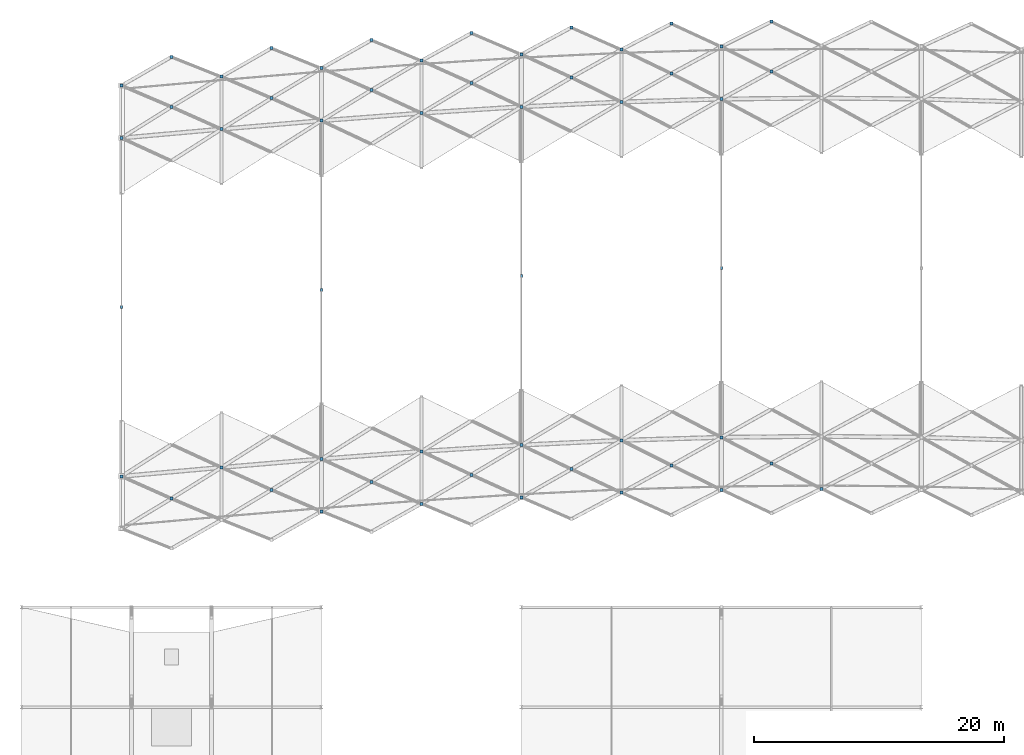
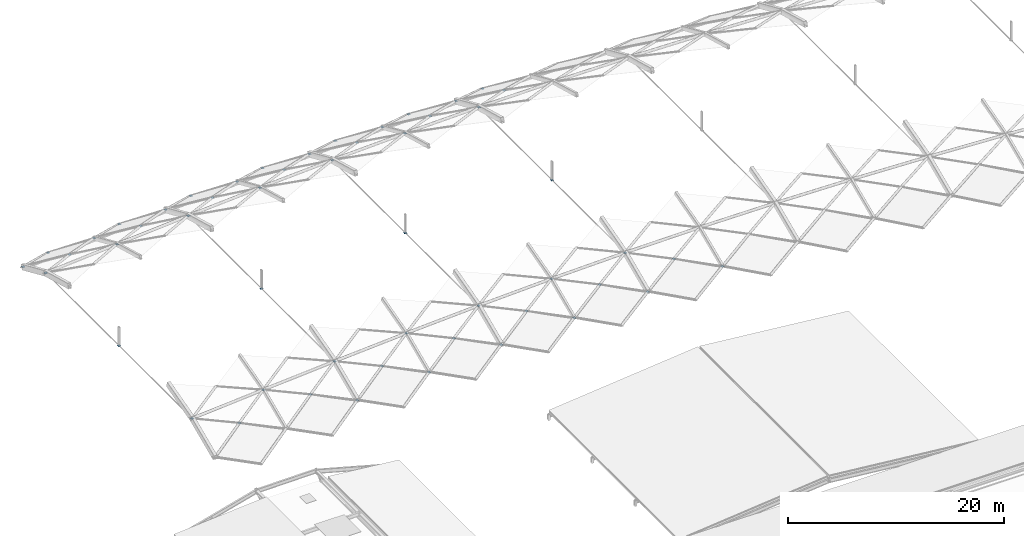
# One storey, part 46 of 54: 52 discrete accessories.
"""IFC4 building model written with IfcOpenShell, lengths in metres."""

from ifc_helpers import new_model, si_unit, direction, frame, origin, origin_2d, place, context, subcontext, project, spatial, rectangle, extrude, material, type_object, element, save


model = new_model("IFC4")

# Units and contexts
model_context = context("Model", 3, precision=1e-05, world=origin(), true_north=direction((0.0, 1.0)))
body_context = subcontext(model_context, "Body", "Model", "MODEL_VIEW")
ifc_project = project(units=[si_unit("LENGTHUNIT", "METRE"), si_unit("AREAUNIT", "SQUARE_METRE"), si_unit("VOLUMEUNIT", "CUBIC_METRE"), si_unit("PLANEANGLEUNIT", "RADIAN"), si_unit("MASSUNIT", "GRAM", prefix="KILO")], contexts=[model_context])

# Site, building, storey
site_placement = place(None, origin())
site = spatial("IfcSite", under=ifc_project, at=site_placement, CompositionType="ELEMENT")
building_placement = place(site_placement, origin())
building = spatial("IfcBuilding", under=site, at=building_placement, Name="Kenh Van Central Station", CompositionType="ELEMENT")
storey_placement = place(building_placement, frame((0.0, 0.0, 15.0)))
storey = spatial("IfcBuildingStorey", under=building, at=storey_placement, Name="L03", CompositionType="ELEMENT", Elevation=15.0)

# Discrete accessories
ifc_material = material(Name="White fluoropolymer structural steel S355", Category="steel")
discrete_accessory_type = type_object("IfcDiscreteAccessoryType", Name="ACC-END-NODE-VLT", PredefinedType="BRACKET", material=ifc_material)
for number, where, z_axis, x_axis, name in (
    (1, (32.0, 74.4658203125, 4.056640625), (0.0, 0.0, 1.0), (1.0, 0.0, 0.0), "L03 brace end connection node plate 0003"),
    (2, (36.0, 72.68701171875, 3.224609375), (0.0, 0.0, 1.0), (1.0, 0.0, 0.0), "L03 brace end connection node plate 0004"),
    (3, (32.0, 101.5341796875, 4.056640625), (0.0, 0.0, 1.0), (1.0, 0.0, 0.0), "L03 brace end connection node plate 0015"),
    (4, (32.0, 105.730712890625, 2.216064453125), (0.0, 0.0, 1.0), (1.0, 0.0, 0.0), "L03 brace end connection node plate 0017"),
    (5, (36.0, 104.029541015625, 3.224609375), (0.0, 0.0, 1.0), (1.0, 0.0, 0.0), "L03 brace end connection node plate 0018"),
    (6, (36.0, 108.0341796875, 1.0029296875), (0.0, 0.0, 1.0), (1.0, 0.0, 0.0), "L03 brace end connection node plate 0020"),
    (7, (40.0, 75.177734375, 4.056640625), (0.0, 0.0, 1.0), (1.0, 0.0, 0.0), "L03 brace end connection node plate 0023"),
    (8, (40.0, 102.246337890625, 4.056640625), (0.0, 0.0, 1.0), (1.0, 0.0, 0.0), "L03 brace end connection node plate 0029"),
    (9, (40.0, 106.442626953125, 2.216064453125), (0.0, 0.0, 1.0), (1.0, 0.0, 0.0), "L03 brace end connection node plate 0030"),
    (10, (44.0, 73.385498046875, 3.224609375), (0.0, 0.0, 1.0), (1.0, 0.0, 0.0), "L03 brace end connection node plate 0032"),
    (11, (44.0, 104.728271484375, 3.224609375), (0.0, 0.0, 1.0), (1.0, 0.0, 0.0), "L03 brace end connection node plate 0039"),
    (12, (44.0, 108.73291015625, 1.0029296875), (0.0, 0.0, 1.0), (1.0, 0.0, 0.0), "L03 brace end connection node plate 0041"),
    (13, (48.0, 71.65771484375, 2.216064453125), (0.0, 0.0, 1.0), (1.0, 0.0, 0.0), "L03 brace end connection node plate 0043"),
    (14, (48.0, 75.85400390625, 4.056640625), (0.0, 0.0, 1.0), (1.0, 0.0, 0.0), "L03 brace end connection node plate 0044"),
    (15, (48.0, 102.922607421875, 4.056640625), (0.0, 0.0, 1.0), (1.0, 0.0, 0.0), "L03 brace end connection node plate 0050"),
    (16, (48.0, 107.118896484375, 2.216064453125), (0.0, 0.0, 1.0), (1.0, 0.0, 0.0), "L03 brace end connection node plate 0051"),
    (17, (52.0, 74.03125, 3.224609375), (0.0, 0.0, 1.0), (1.0, 0.0, 0.0), "L03 brace end connection node plate 0053"),
    (18, (52.0, 105.373779296875, 3.224609375), (0.0, 0.0, 1.0), (1.0, 0.0, 0.0), "L03 brace end connection node plate 0060"),
    (19, (52.0, 109.37841796875, 1.0029296875), (0.0, 0.0, 1.0), (1.0, 0.0, 0.0), "L03 brace end connection node plate 0062"),
    (20, (56.0, 72.2646484375, 2.216064453125), (0.0, 0.0, 1.0), (1.0, 0.0, 0.0), "L03 brace end connection node plate 0064"),
    (21, (56.0, 76.4609375, 4.056640625), (0.0, 0.0, 1.0), (1.0, 0.0, 0.0), "L03 brace end connection node plate 0065"),
    (22, (56.0, 103.529541015625, 4.056640625), (0.0, 0.0, 1.0), (1.0, 0.0, 0.0), "L03 brace end connection node plate 0071"),
    (23, (56.0, 107.725830078125, 2.216064453125), (0.0, 0.0, 1.0), (1.0, 0.0, 0.0), "L03 brace end connection node plate 0072"),
    (24, (60.0, 74.59130859375, 3.224609375), (0.0, 0.0, 1.0), (1.0, 0.0, 0.0), "L03 brace end connection node plate 0074"),
    (25, (60.0, 105.93408203125, 3.224609375), (0.0, 0.0, 1.0), (1.0, 0.0, 0.0), "L03 brace end connection node plate 0081"),
    (26, (60.0, 109.938720703125, 1.0029296875), (0.0, 0.0, 1.0), (1.0, 0.0, 0.0), "L03 brace end connection node plate 0083"),
    (27, (64.0, 72.771240234375, 2.216064453125), (0.0, 0.0, 1.0), (1.0, 0.0, 0.0), "L03 brace end connection node plate 0085"),
    (28, (64.0, 76.967529296875, 4.056640625), (0.0, 0.0, 1.0), (1.0, 0.0, 0.0), "L03 brace end connection node plate 0086"),
    (29, (64.0, 104.0361328125, 4.056640625), (0.0, 0.0, 1.0), (1.0, 0.0, 0.0), "L03 brace end connection node plate 0092"),
    (30, (64.0, 108.232421875, 2.216064453125), (0.0, 0.0, 1.0), (1.0, 0.0, 0.0), "L03 brace end connection node plate 0093"),
    (31, (68.0, 75.0380859375, 3.224609375), (0.0, 0.0, 1.0), (1.0, 0.0, 0.0), "L03 brace end connection node plate 0095"),
    (32, (68.0, 106.380859375, 3.224609375), (0.0, 0.0, 1.0), (1.0, 0.0, 0.0), "L03 brace end connection node plate 0102"),
    (33, (68.0, 110.385498046875, 1.0029296875), (0.0, 0.0, 1.0), (1.0, 0.0, 0.0), "L03 brace end connection node plate 0104"),
    (34, (72.0, 73.152587890625, 2.216064453125), (0.0, 0.0, 1.0), (1.0, 0.0, 0.0), "L03 brace end connection node plate 0106"),
    (35, (72.0, 77.348876953125, 4.056640625), (0.0, 0.0, 1.0), (1.0, 0.0, 0.0), "L03 brace end connection node plate 0107"),
    (36, (72.0, 104.41748046875, 4.056640625), (0.0, 0.0, 1.0), (1.0, 0.0, 0.0), "L03 brace end connection node plate 0113"),
    (37, (72.0, 108.61376953125, 2.216064453125), (0.0, 0.0, 1.0), (1.0, 0.0, 0.0), "L03 brace end connection node plate 0114"),
    (38, (76.0, 75.34912109375, 3.224609375), (0.0, 0.0, 1.0), (1.0, 0.0, 0.0), "L03 brace end connection node plate 0116"),
    (39, (76.0, 106.691650390625, 3.224609375), (0.0, 0.0, 1.0), (1.0, 0.0, 0.0), "L03 brace end connection node plate 0123"),
    (40, (76.0, 110.6962890625, 1.0029296875), (0.0, 0.0, 1.0), (1.0, 0.0, 0.0), "L03 brace end connection node plate 0125"),
    (41, (80.0, 73.38916015625, 2.216064453125), (0.0, 0.0, 1.0), (1.0, 0.0, 0.0), "L03 brace end connection node plate 0127"),
    (42, (80.0, 77.58544921875, 4.056640625), (0.0, 0.0, 1.0), (1.0, 0.0, 0.0), "L03 brace end connection node plate 0128"),
    (43, (80.0, 104.654052734375, 4.056640625), (0.0, 0.0, 1.0), (1.0, 0.0, 0.0), "L03 brace end connection node plate 0134"),
    (44, (80.0, 108.850341796875, 2.216064453125), (0.0, 0.0, 1.0), (1.0, 0.0, 0.0), "L03 brace end connection node plate 0135"),
    (45, (84.0, 75.508544921875, 3.224609375), (0.0, 0.0, 1.0), (1.0, 0.0, 0.0), "L03 brace end connection node plate 0137"),
    (46, (84.0, 106.851318359375, 3.224609375), (0.0, 0.0, 1.0), (1.0, 0.0, 0.0), "L03 brace end connection node plate 0144"),
    (47, (84.0, 110.855712890625, 1.0029296875), (0.0, 0.0, 1.0), (1.0, 0.0, 0.0), "L03 brace end connection node plate 0146"),
    (48, (88.0, 73.469482421875, 2.216064453125), (0.0, 0.0, 1.0), (1.0, 0.0, 0.0), "L03 brace end connection node plate 0148"),
    (49, (32.0, 88.0, 4.056640625), (0.0, 0.0, 1.0), (1.0, 0.0, 0.0), "L03 brace end connection node plate 0304"),
    (50, (48.0, 89.388427734375, 4.056640625), (0.0, 0.0, 1.0), (1.0, 0.0, 0.0), "L03 brace end connection node plate 0305"),
    (51, (64.0, 90.501953125, 4.056640625), (0.0, 0.0, 1.0), (1.0, 0.0, 0.0), "L03 brace end connection node plate 0306"),
    (52, (80.0, 91.119873046875, 4.056640625), (0.0, 0.0, 1.0), (1.0, 0.0, 0.0), "L03 brace end connection node plate 0307"),
):
    element("IfcDiscreteAccessory", number, at=place(storey_placement, frame(where, z_axis=z_axis, x_axis=x_axis)), inside=storey, type_object=discrete_accessory_type, Name=name, PredefinedType="BRACKET", context=body_context, shape_type="SweptSolid", body=[
        extrude(rectangle(XDim=0.239990234375, YDim=0.239990234375, at=origin_2d()), origin(), (0.0, 0.0, 1.0), 0.02490234375),
    ])

save(model, "model.ifc")
